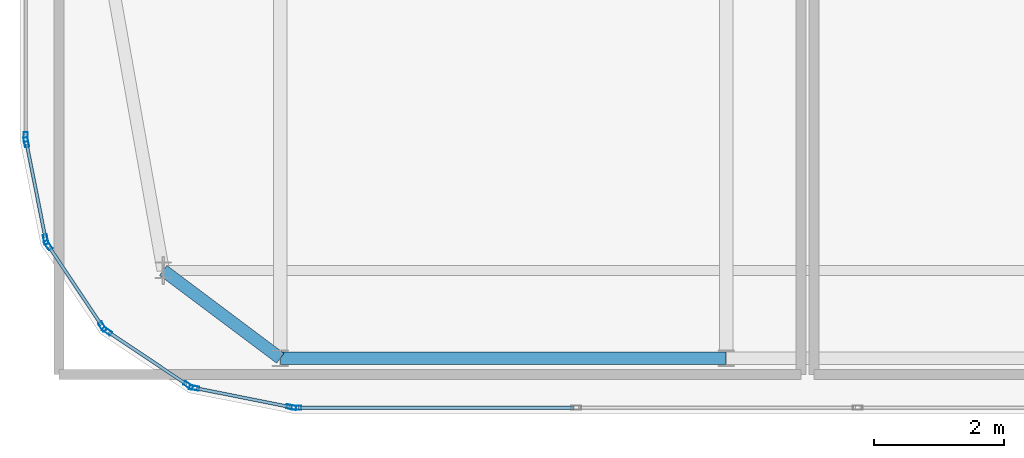
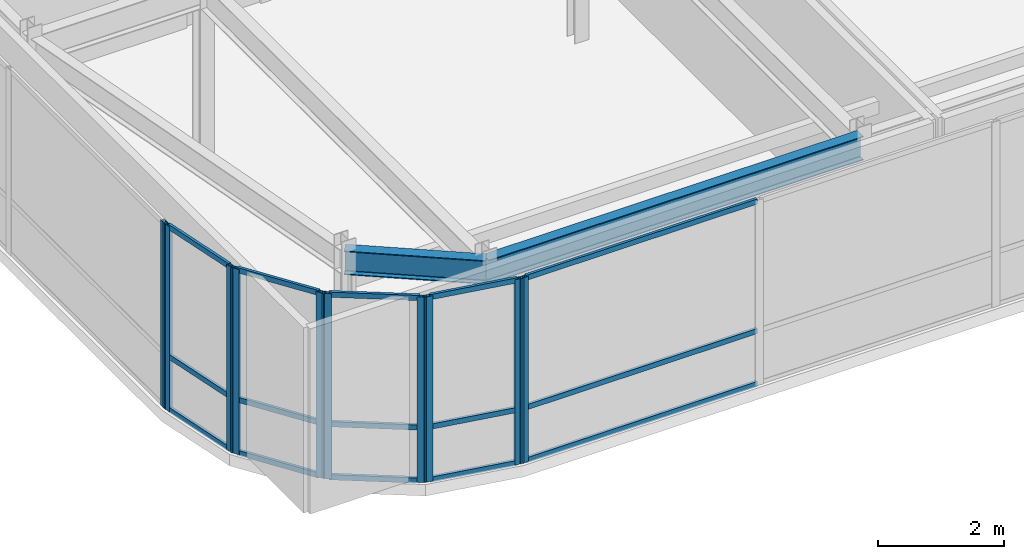
# One storey, part 5 of 36: 25 members, 2 beams, 6 elements without a shape of their own.
"""IFC4 building model written with IfcOpenShell, lengths in metres."""

from ifc_helpers import new_model, si_unit, direction, frame, origin, origin_2d, place, context, subcontext, project, spatial, hollow_rectangle, i_section, extrude, source, transform, mapped, material, layer, layer_set, material_profile, profile_set, type_object, type_shapes, element, aggregate, save


model = new_model("IFC4")

# Units and contexts
model_context = context("Model", 3, precision=1e-05, world=origin(), true_north=direction((0.0, 1.0)))
body_context = subcontext(model_context, "Body", "Model", "MODEL_VIEW")
ifc_project = project(units=[si_unit("LENGTHUNIT", "METRE"), si_unit("AREAUNIT", "SQUARE_METRE"), si_unit("VOLUMEUNIT", "CUBIC_METRE"), si_unit("PLANEANGLEUNIT", "RADIAN"), si_unit("MASSUNIT", "GRAM", prefix="KILO")], contexts=[model_context])

# Site, building, storey
site_placement = place(None, origin())
site = spatial("IfcSite", under=ifc_project, at=site_placement, CompositionType="ELEMENT")
building_placement = place(site_placement, origin())
building = spatial("IfcBuilding", under=site, at=building_placement, Name="Tolvann Quenvar Hotel", CompositionType="ELEMENT")
storey_placement = place(building_placement, frame((0.0, 0.0, 306.14990234375)))
storey = spatial("IfcBuildingStorey", under=building, at=storey_placement, Name="L81", CompositionType="ELEMENT", Elevation=306.14990234375)

# Beams
ifc_material_1 = material(Name="Steel Grade 350", Category="steel")
ifc_material_profile_1 = material_profile(ifc_material_1, i_section(OverallWidth=0.19091796875, OverallDepth=0.4599609375, WebThickness=0.010009765625, FlangeThickness=0.01611328125, FilletRadius=0.011474609375, at=origin_2d()), Name="460UB82")
ifc_profile_set_1 = profile_set([ifc_material_profile_1], Name="Steel Grade 350")
beam_type = type_object("IfcBeamType", Name="BM_SPAND_460UB82", PredefinedType="SPANDREL", material=ifc_profile_set_1)
shared_shape_1 = source(origin(), body_context, "Body", "SweptSolid", [
    extrude(i_section(OverallWidth=0.19091796875, OverallDepth=0.4599609375, WebThickness=0.010009765625, FlangeThickness=0.01611328125, FilletRadius=0.011474609375, at=origin_2d()), origin(), (0.0, 0.0, 1.0), 6.849853515625),
])
beam_1_placement = place(storey_placement, frame((7.60009765625, 7.050048828125, 3.35009765625), z_axis=(1.0, 0.0, 0.0), x_axis=(0.0, 1.0, 0.0)))
element("IfcBeam", 1, at=beam_1_placement, inside=storey, type_object=beam_type, Name="BM-L81-EW-2-C2-D2", PredefinedType="SPANDREL", context=body_context, shape_type="MappedRepresentation", body=[
    mapped(shared_shape_1, transform((0.0, 0.0, 0.0), x_axis=(1.0, 0.0, 0.0), y_axis=(0.0, 1.0, 0.0), z_axis=(0.0, 0.0, 1.0), scale=1.0)),
])
shared_shape_2 = source(origin(), body_context, "Body", "SweptSolid", [
    extrude(i_section(OverallWidth=0.19091796875, OverallDepth=0.4599609375, WebThickness=0.010009765625, FlangeThickness=0.01611328125, FilletRadius=0.011474609375, at=origin_2d()), origin(), (0.0, 0.0, 1.0), 2.25),
])
type_shapes(beam_type, [shared_shape_1, shared_shape_2])
beam_2_placement = place(storey_placement, frame((5.800048828125, 8.39990234375, 3.35009765625), z_axis=(0.800039061652, -0.599947914265, 0.0), x_axis=(0.599947914265, 0.800039061652, 0.0)))
element("IfcBeam", 2, at=beam_2_placement, inside=storey, type_object=beam_type, Name="BM-L81-EW-2-B2-C2", PredefinedType="SPANDREL", context=body_context, shape_type="MappedRepresentation", body=[
    mapped(shared_shape_2, transform((0.0, 0.0, 0.0), x_axis=(1.0, 0.0, 0.0), y_axis=(0.0, 1.0, 0.0), z_axis=(0.0, 0.0, 1.0), scale=1.0)),
])

# Curtain wall, members
ifc_material_2 = material(Name="Thermally broken anodised architectural aluminium 6063-T6 and laminated low-E glass", Category="aluminium")
ifc_layer = layer(ifc_material_2, 0.179931640625)
ifc_layer_set = layer_set([ifc_layer], Name="Thermally broken anodised architectural aluminium 6063-T6 and laminated low-E glass")
curtain_wall_type = type_object("IfcCurtainWallType", Name="CW_SYS_LANT_06", PredefinedType="USERDEFINED", material=ifc_layer_set)
curtain_wall_1_placement = place(storey_placement, origin())
curtain_wall_1 = element("IfcCurtainWall", 3, at=curtain_wall_1_placement, inside=storey, type_object=curtain_wall_type, Name="Curtain Wall CW-LANT-06 (CWR-L81-E01)", ObjectType="UNITISED CURTAIN WALL", PredefinedType="USERDEFINED")
ifc_material_3 = material(Name="Anodised architectural aluminium 6063-T6 framing", Category="aluminium")
ifc_material_profile_2 = material_profile(ifc_material_3, hollow_rectangle(XDim=0.06494140625, YDim=0.14990234375, WallThickness=0.00390625, at=origin_2d()), Name="150x65x4RHS")
ifc_profile_set_2 = profile_set([ifc_material_profile_2], Name="Anodised architectural aluminium 6063-T6 framing")
member_type_1 = type_object("IfcMemberType", Name="CW_MULL_150x65", PredefinedType="MULLION", material=ifc_profile_set_2)
shared_shape_3 = source(origin(), body_context, "Body", "SweptSolid", [
    extrude(hollow_rectangle(XDim=0.06494140625, YDim=0.14990234375, WallThickness=0.00390625, at=origin_2d()), origin(), (0.0, 0.0, 1.0), 3.580078125),
])
type_shapes(member_type_1, [shared_shape_3])
member_1_placement = place(storey_placement, frame((4.03173828125, 8.786865234375, 0.0), z_axis=(0.0, 0.0, 1.0), x_axis=(0.831412452193, 0.555655769644, 0.0)))
member_1 = element("IfcMember", 4, at=member_1_placement, type_object=member_type_1, Name="CW-LANT-06 mullion 1", PredefinedType="MULLION", context=body_context, shape_type="MappedRepresentation", body=[
    mapped(shared_shape_3, transform((0.0, 0.0, 0.0), x_axis=(1.0, 0.0, 0.0), y_axis=(0.0, 1.0, 0.0), z_axis=(0.0, 0.0, 1.0), scale=1.0)),
])
member_2_placement = place(storey_placement, frame((4.86767578125, 7.5361328125, 0.0), z_axis=(0.0, 0.0, 1.0), x_axis=(0.831412452193, 0.555655769644, 0.0)))
member_2 = element("IfcMember", 5, at=member_2_placement, type_object=member_type_1, Name="CW-LANT-06 mullion 2", PredefinedType="MULLION", context=body_context, shape_type="MappedRepresentation", body=[
    mapped(shared_shape_3, transform((0.0, 0.0, 0.0), x_axis=(1.0, 0.0, 0.0), y_axis=(0.0, 1.0, 0.0), z_axis=(0.0, 0.0, 1.0), scale=1.0)),
])

curtain_wall_2_placement = place(storey_placement, origin())
curtain_wall_2 = element("IfcCurtainWall", 6, at=curtain_wall_2_placement, inside=storey, type_object=curtain_wall_type, Name="Curtain Wall CW-LANT-06 (CWR-L81-E02)", ObjectType="UNITISED CURTAIN WALL", PredefinedType="USERDEFINED")
member_3_placement = place(storey_placement, frame((4.936279296875, 7.467529296875, 0.0), z_axis=(0.0, 0.0, 1.0), x_axis=(0.555655769644, 0.831412452193, 0.0)))
member_3 = element("IfcMember", 7, at=member_3_placement, type_object=member_type_1, Name="CW-LANT-06 mullion 1", PredefinedType="MULLION", context=body_context, shape_type="MappedRepresentation", body=[
    mapped(shared_shape_3, transform((0.0, 0.0, 0.0), x_axis=(1.0, 0.0, 0.0), y_axis=(0.0, 1.0, 0.0), z_axis=(0.0, 0.0, 1.0), scale=1.0)),
])
member_4_placement = place(storey_placement, frame((6.186767578125, 6.6318359375, 0.0), z_axis=(0.0, 0.0, 1.0), x_axis=(0.555655769644, 0.831412452193, 0.0)))
member_4 = element("IfcMember", 8, at=member_4_placement, type_object=member_type_1, Name="CW-LANT-06 mullion 2", PredefinedType="MULLION", context=body_context, shape_type="MappedRepresentation", body=[
    mapped(shared_shape_3, transform((0.0, 0.0, 0.0), x_axis=(1.0, 0.0, 0.0), y_axis=(0.0, 1.0, 0.0), z_axis=(0.0, 0.0, 1.0), scale=1.0)),
])

curtain_wall_3_placement = place(storey_placement, origin())
curtain_wall_3 = element("IfcCurtainWall", 9, at=curtain_wall_3_placement, inside=storey, type_object=curtain_wall_type, Name="Curtain Wall CW-LANT-06 (CWR-L81-E03)", ObjectType="UNITISED CURTAIN WALL", PredefinedType="USERDEFINED")
member_5_placement = place(storey_placement, frame((6.2763671875, 6.5947265625, 0.0), z_axis=(0.0, 0.0, 1.0), x_axis=(0.195061569369, 0.980790999222, 0.0)))
member_5 = element("IfcMember", 10, at=member_5_placement, type_object=member_type_1, Name="CW-LANT-06 mullion 1", PredefinedType="MULLION", context=body_context, shape_type="MappedRepresentation", body=[
    mapped(shared_shape_3, transform((0.0, 0.0, 0.0), x_axis=(1.0, 0.0, 0.0), y_axis=(0.0, 1.0, 0.0), z_axis=(0.0, 0.0, 1.0), scale=1.0)),
])
member_6_placement = place(storey_placement, frame((7.768798828125, 6.2978515625, 0.0), z_axis=(0.0, 0.0, 1.0), x_axis=(0.195061569369, 0.980790999222, 0.0)))
member_6 = element("IfcMember", 11, at=member_6_placement, type_object=member_type_1, Name="CW-LANT-06 mullion 2", PredefinedType="MULLION", context=body_context, shape_type="MappedRepresentation", body=[
    mapped(shared_shape_3, transform((0.0, 0.0, 0.0), x_axis=(1.0, 0.0, 0.0), y_axis=(0.0, 1.0, 0.0), z_axis=(0.0, 0.0, 1.0), scale=1.0)),
])

# Curtain wall, member
curtain_wall_4_placement = place(storey_placement, origin())
curtain_wall_4 = element("IfcCurtainWall", 12, at=curtain_wall_4_placement, inside=storey, type_object=curtain_wall_type, Name="Curtain Wall CW-LANT-06 (CWR-L81-E04)", ObjectType="UNITISED CURTAIN WALL", PredefinedType="USERDEFINED")
member_7_placement = place(storey_placement, frame((7.849609375, 6.2900390625, 0.0), z_axis=(0.0, 0.0, 1.0), x_axis=(0.0, 1.0, 0.0)))
member_7 = element("IfcMember", 13, at=member_7_placement, type_object=member_type_1, Name="CW-LANT-06 mullion 1", PredefinedType="MULLION", context=body_context, shape_type="MappedRepresentation", body=[
    mapped(shared_shape_3, transform((0.0, 0.0, 0.0), x_axis=(1.0, 0.0, 0.0), y_axis=(0.0, 1.0, 0.0), z_axis=(0.0, 0.0, 1.0), scale=1.0)),
])

curtain_wall_5_placement = place(storey_placement, origin())
curtain_wall_5 = element("IfcCurtainWall", 14, at=curtain_wall_5_placement, inside=storey, type_object=curtain_wall_type, Name="Curtain Wall CW-LANT-06 (CWR-L81-E19)", ObjectType="UNITISED CURTAIN WALL", PredefinedType="USERDEFINED")
member_8_placement = place(storey_placement, frame((3.68994140625, 10.44970703125, 0.0), z_axis=(0.0, 0.0, 1.0), x_axis=(1.0, 0.0, 0.0)))
member_8 = element("IfcMember", 15, at=member_8_placement, type_object=member_type_1, Name="CW-LANT-06 mullion 7", PredefinedType="MULLION", context=body_context, shape_type="MappedRepresentation", body=[
    mapped(shared_shape_3, transform((0.0, 0.0, 0.0), x_axis=(1.0, 0.0, 0.0), y_axis=(0.0, 1.0, 0.0), z_axis=(0.0, 0.0, 1.0), scale=1.0)),
])
aggregate(curtain_wall_5, [member_8])

# Curtain wall, members
curtain_wall_6_placement = place(storey_placement, origin())
curtain_wall_6 = element("IfcCurtainWall", 16, at=curtain_wall_6_placement, inside=storey, type_object=curtain_wall_type, Name="Curtain Wall CW-LANT-06 (CWR-L81-E20)", ObjectType="UNITISED CURTAIN WALL", PredefinedType="USERDEFINED")
member_9_placement = place(storey_placement, frame((3.697998046875, 10.36865234375, 0.0), z_axis=(0.0, 0.0, 1.0), x_axis=(0.980790999222, 0.195061569369, 0.0)))
member_9 = element("IfcMember", 17, at=member_9_placement, type_object=member_type_1, Name="CW-LANT-06 mullion 1", PredefinedType="MULLION", context=body_context, shape_type="MappedRepresentation", body=[
    mapped(shared_shape_3, transform((0.0, 0.0, 0.0), x_axis=(1.0, 0.0, 0.0), y_axis=(0.0, 1.0, 0.0), z_axis=(0.0, 0.0, 1.0), scale=1.0)),
])
member_10_placement = place(storey_placement, frame((3.994873046875, 8.876220703125, 0.0), z_axis=(0.0, 0.0, 1.0), x_axis=(0.980790999222, 0.195061569369, 0.0)))
member_10 = element("IfcMember", 18, at=member_10_placement, type_object=member_type_1, Name="CW-LANT-06 mullion 2", PredefinedType="MULLION", context=body_context, shape_type="MappedRepresentation", body=[
    mapped(shared_shape_3, transform((0.0, 0.0, 0.0), x_axis=(1.0, 0.0, 0.0), y_axis=(0.0, 1.0, 0.0), z_axis=(0.0, 0.0, 1.0), scale=1.0)),
])

# Member
ifc_material_profile_3 = material_profile(ifc_material_3, hollow_rectangle(XDim=0.050048828125, YDim=0.10009765625, WallThickness=0.0029296875, at=origin_2d()), Name="100x50x3RHS")
ifc_profile_set_3 = profile_set([ifc_material_profile_3], Name="Anodised architectural aluminium 6063-T6 framing")
member_type_2 = type_object("IfcMemberType", Name="CW_TRAN_100x50", PredefinedType="USERDEFINED", material=ifc_profile_set_3)
shared_shape_4 = source(origin(), body_context, "Body", "SweptSolid", [
    extrude(hollow_rectangle(XDim=0.050048828125, YDim=0.10009765625, WallThickness=0.0029296875, at=origin_2d()), origin(), (0.0, 0.0, 1.0), 1.439208984375),
])
member_11_placement = place(storey_placement, frame((4.0498046875, 8.759765625, 0.025146484375), z_axis=(0.555717578985, -0.831371139989, 0.0), x_axis=(0.831371139989, 0.555717578985, 0.0)))
member_11 = element("IfcMember", 19, at=member_11_placement, type_object=member_type_2, Name="CW-LANT-06 transom 1.1", ObjectType="TRANSOM", PredefinedType="USERDEFINED", context=body_context, shape_type="MappedRepresentation", body=[
    mapped(shared_shape_4, transform((0.0, 0.0, 0.0), x_axis=(1.0, 0.0, 0.0), y_axis=(0.0, 1.0, 0.0), z_axis=(0.0, 0.0, 1.0), scale=1.0)),
])

member_12_placement = place(storey_placement, frame((4.0498046875, 8.759765625, 1.050048828125), z_axis=(0.555717578985, -0.831371139989, 0.0), x_axis=(0.831371139989, 0.555717578985, 0.0)))
member_12 = element("IfcMember", 20, at=member_12_placement, type_object=member_type_2, Name="CW-LANT-06 transom 1.2", ObjectType="TRANSOM", PredefinedType="USERDEFINED", context=body_context, shape_type="MappedRepresentation", body=[
    mapped(shared_shape_4, transform((0.0, 0.0, 0.0), x_axis=(1.0, 0.0, 0.0), y_axis=(0.0, 1.0, 0.0), z_axis=(0.0, 0.0, 1.0), scale=1.0)),
])

member_13_placement = place(storey_placement, frame((4.0498046875, 8.759765625, 3.55517578125), z_axis=(0.555717578985, -0.831371139989, 0.0), x_axis=(0.831371139989, 0.555717578985, 0.0)))
member_13 = element("IfcMember", 21, at=member_13_placement, type_object=member_type_2, Name="CW-LANT-06 transom 1.3", ObjectType="TRANSOM", PredefinedType="USERDEFINED", context=body_context, shape_type="MappedRepresentation", body=[
    mapped(shared_shape_4, transform((0.0, 0.0, 0.0), x_axis=(1.0, 0.0, 0.0), y_axis=(0.0, 1.0, 0.0), z_axis=(0.0, 0.0, 1.0), scale=1.0)),
])

aggregate(curtain_wall_1, [member_1, member_2, member_11, member_12, member_13])

member_14_placement = place(storey_placement, frame((4.963134765625, 7.449462890625, 0.025146484375), z_axis=(0.831449510818, -0.555600315839, 0.0), x_axis=(0.555600315839, 0.831449510818, 0.0)))
member_14 = element("IfcMember", 22, at=member_14_placement, type_object=member_type_2, Name="CW-LANT-06 transom 1.1", ObjectType="TRANSOM", PredefinedType="USERDEFINED", context=body_context, shape_type="MappedRepresentation", body=[
    mapped(shared_shape_4, transform((0.0, 0.0, 0.0), x_axis=(1.0, 0.0, 0.0), y_axis=(0.0, 1.0, 0.0), z_axis=(0.0, 0.0, 1.0), scale=1.0)),
])

member_15_placement = place(storey_placement, frame((4.963134765625, 7.449462890625, 1.050048828125), z_axis=(0.831449510818, -0.555600315839, 0.0), x_axis=(0.555600315839, 0.831449510818, 0.0)))
member_15 = element("IfcMember", 23, at=member_15_placement, type_object=member_type_2, Name="CW-LANT-06 transom 1.2", ObjectType="TRANSOM", PredefinedType="USERDEFINED", context=body_context, shape_type="MappedRepresentation", body=[
    mapped(shared_shape_4, transform((0.0, 0.0, 0.0), x_axis=(1.0, 0.0, 0.0), y_axis=(0.0, 1.0, 0.0), z_axis=(0.0, 0.0, 1.0), scale=1.0)),
])

member_16_placement = place(storey_placement, frame((4.963134765625, 7.449462890625, 3.55517578125), z_axis=(0.831449510818, -0.555600315839, 0.0), x_axis=(0.555600315839, 0.831449510818, 0.0)))
member_16 = element("IfcMember", 24, at=member_16_placement, type_object=member_type_2, Name="CW-LANT-06 transom 1.3", ObjectType="TRANSOM", PredefinedType="USERDEFINED", context=body_context, shape_type="MappedRepresentation", body=[
    mapped(shared_shape_4, transform((0.0, 0.0, 0.0), x_axis=(1.0, 0.0, 0.0), y_axis=(0.0, 1.0, 0.0), z_axis=(0.0, 0.0, 1.0), scale=1.0)),
])

aggregate(curtain_wall_2, [member_3, member_4, member_14, member_15, member_16])

shared_shape_5 = source(origin(), body_context, "Body", "SweptSolid", [
    extrude(hollow_rectangle(XDim=0.050048828125, YDim=0.10009765625, WallThickness=0.0029296875, at=origin_2d()), origin(), (0.0, 0.0, 1.0), 1.456787109375),
])
member_17_placement = place(storey_placement, frame((6.30810546875, 6.58837890625, 0.025146484375), z_axis=(0.980786408364, -0.195084651288, 0.0), x_axis=(0.195084651288, 0.980786408364, 0.0)))
member_17 = element("IfcMember", 25, at=member_17_placement, type_object=member_type_2, Name="CW-LANT-06 transom 1.1", ObjectType="TRANSOM", PredefinedType="USERDEFINED", context=body_context, shape_type="MappedRepresentation", body=[
    mapped(shared_shape_5, transform((0.0, 0.0, 0.0), x_axis=(1.0, 0.0, 0.0), y_axis=(0.0, 1.0, 0.0), z_axis=(0.0, 0.0, 1.0), scale=1.0)),
])

member_18_placement = place(storey_placement, frame((6.30810546875, 6.58837890625, 1.050048828125), z_axis=(0.980786408364, -0.195084651288, 0.0), x_axis=(0.195084651288, 0.980786408364, 0.0)))
member_18 = element("IfcMember", 26, at=member_18_placement, type_object=member_type_2, Name="CW-LANT-06 transom 1.2", ObjectType="TRANSOM", PredefinedType="USERDEFINED", context=body_context, shape_type="MappedRepresentation", body=[
    mapped(shared_shape_5, transform((0.0, 0.0, 0.0), x_axis=(1.0, 0.0, 0.0), y_axis=(0.0, 1.0, 0.0), z_axis=(0.0, 0.0, 1.0), scale=1.0)),
])

member_19_placement = place(storey_placement, frame((6.30810546875, 6.58837890625, 3.55517578125), z_axis=(0.980786408364, -0.195084651288, 0.0), x_axis=(0.195084651288, 0.980786408364, 0.0)))
member_19 = element("IfcMember", 27, at=member_19_placement, type_object=member_type_2, Name="CW-LANT-06 transom 1.3", ObjectType="TRANSOM", PredefinedType="USERDEFINED", context=body_context, shape_type="MappedRepresentation", body=[
    mapped(shared_shape_5, transform((0.0, 0.0, 0.0), x_axis=(1.0, 0.0, 0.0), y_axis=(0.0, 1.0, 0.0), z_axis=(0.0, 0.0, 1.0), scale=1.0)),
])

aggregate(curtain_wall_3, [member_5, member_6, member_17, member_18, member_19])

member_20_placement = place(storey_placement, frame((3.704345703125, 10.3369140625, 0.025146484375), z_axis=(0.195084651288, -0.980786408364, 0.0), x_axis=(0.980786408364, 0.195084651288, 0.0)))
member_20 = element("IfcMember", 28, at=member_20_placement, type_object=member_type_2, Name="CW-LANT-06 transom 1.1", ObjectType="TRANSOM", PredefinedType="USERDEFINED", context=body_context, shape_type="MappedRepresentation", body=[
    mapped(shared_shape_5, transform((0.0, 0.0, 0.0), x_axis=(1.0, 0.0, 0.0), y_axis=(0.0, 1.0, 0.0), z_axis=(0.0, 0.0, 1.0), scale=1.0)),
])

member_21_placement = place(storey_placement, frame((3.704345703125, 10.3369140625, 1.050048828125), z_axis=(0.195084651288, -0.980786408364, 0.0), x_axis=(0.980786408364, 0.195084651288, 0.0)))
member_21 = element("IfcMember", 29, at=member_21_placement, type_object=member_type_2, Name="CW-LANT-06 transom 1.2", ObjectType="TRANSOM", PredefinedType="USERDEFINED", context=body_context, shape_type="MappedRepresentation", body=[
    mapped(shared_shape_5, transform((0.0, 0.0, 0.0), x_axis=(1.0, 0.0, 0.0), y_axis=(0.0, 1.0, 0.0), z_axis=(0.0, 0.0, 1.0), scale=1.0)),
])

member_22_placement = place(storey_placement, frame((3.704345703125, 10.3369140625, 3.55517578125), z_axis=(0.195084651288, -0.980786408364, 0.0), x_axis=(0.980786408364, 0.195084651288, 0.0)))
member_22 = element("IfcMember", 30, at=member_22_placement, type_object=member_type_2, Name="CW-LANT-06 transom 1.3", ObjectType="TRANSOM", PredefinedType="USERDEFINED", context=body_context, shape_type="MappedRepresentation", body=[
    mapped(shared_shape_5, transform((0.0, 0.0, 0.0), x_axis=(1.0, 0.0, 0.0), y_axis=(0.0, 1.0, 0.0), z_axis=(0.0, 0.0, 1.0), scale=1.0)),
])

aggregate(curtain_wall_6, [member_9, member_10, member_20, member_21, member_22])

shared_shape_6 = source(origin(), body_context, "Body", "SweptSolid", [
    extrude(hollow_rectangle(XDim=0.050048828125, YDim=0.10009765625, WallThickness=0.0029296875, at=origin_2d()), origin(), (0.0, 0.0, 1.0), 4.230224609375),
])
type_shapes(member_type_2, [shared_shape_4, shared_shape_5, shared_shape_6])
member_23_placement = place(storey_placement, frame((7.882080078125, 6.2900390625, 0.025146484375), z_axis=(1.0, 0.0, 0.0), x_axis=(0.0, 1.0, 0.0)))
member_23 = element("IfcMember", 31, at=member_23_placement, type_object=member_type_2, Name="CW-LANT-06 transom 1.1", ObjectType="TRANSOM", PredefinedType="USERDEFINED", context=body_context, shape_type="MappedRepresentation", body=[
    mapped(shared_shape_6, transform((0.0, 0.0, 0.0), x_axis=(1.0, 0.0, 0.0), y_axis=(0.0, 1.0, 0.0), z_axis=(0.0, 0.0, 1.0), scale=1.0)),
])

member_24_placement = place(storey_placement, frame((7.882080078125, 6.2900390625, 1.050048828125), z_axis=(1.0, 0.0, 0.0), x_axis=(0.0, 1.0, 0.0)))
member_24 = element("IfcMember", 32, at=member_24_placement, type_object=member_type_2, Name="CW-LANT-06 transom 1.2", ObjectType="TRANSOM", PredefinedType="USERDEFINED", context=body_context, shape_type="MappedRepresentation", body=[
    mapped(shared_shape_6, transform((0.0, 0.0, 0.0), x_axis=(1.0, 0.0, 0.0), y_axis=(0.0, 1.0, 0.0), z_axis=(0.0, 0.0, 1.0), scale=1.0)),
])

member_25_placement = place(storey_placement, frame((7.882080078125, 6.2900390625, 3.55517578125), z_axis=(1.0, 0.0, 0.0), x_axis=(0.0, 1.0, 0.0)))
member_25 = element("IfcMember", 33, at=member_25_placement, type_object=member_type_2, Name="CW-LANT-06 transom 1.3", ObjectType="TRANSOM", PredefinedType="USERDEFINED", context=body_context, shape_type="MappedRepresentation", body=[
    mapped(shared_shape_6, transform((0.0, 0.0, 0.0), x_axis=(1.0, 0.0, 0.0), y_axis=(0.0, 1.0, 0.0), z_axis=(0.0, 0.0, 1.0), scale=1.0)),
])

aggregate(curtain_wall_4, [member_7, member_23, member_24, member_25])

save(model, "model.ifc")
